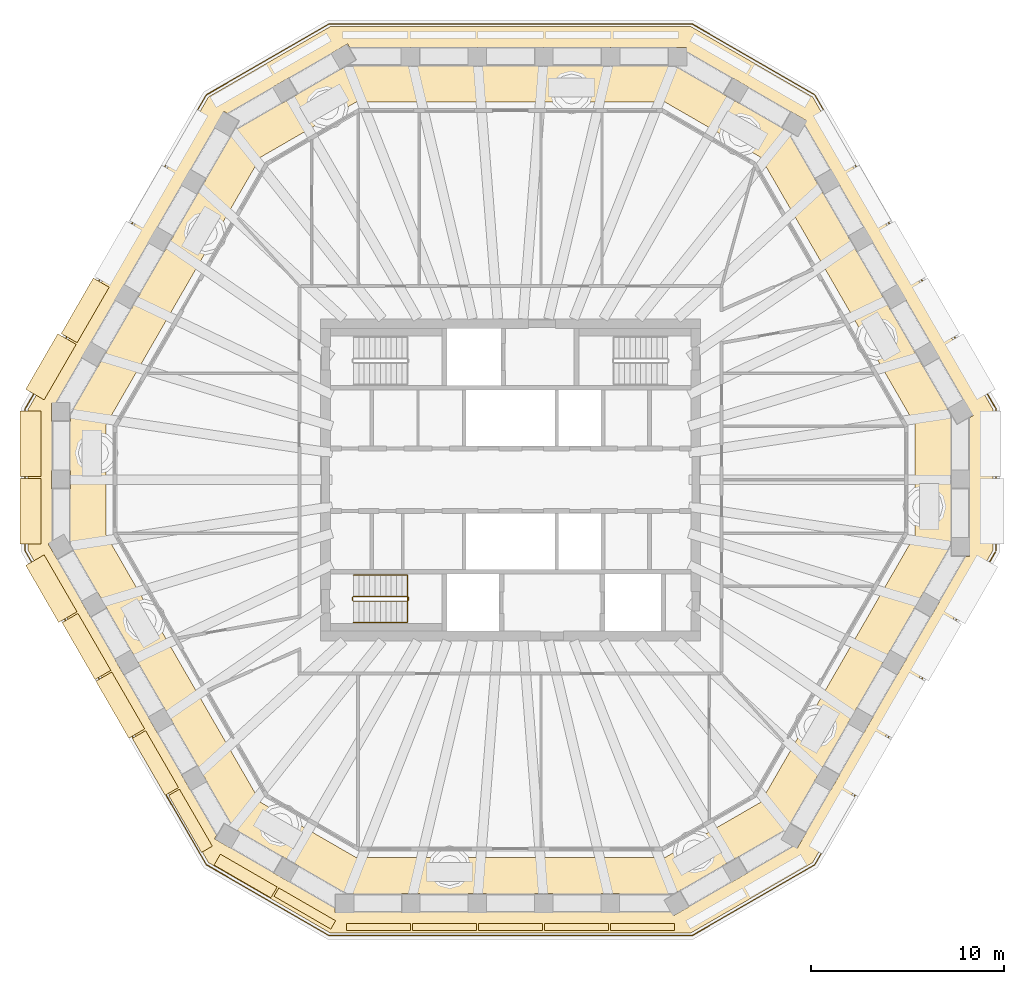
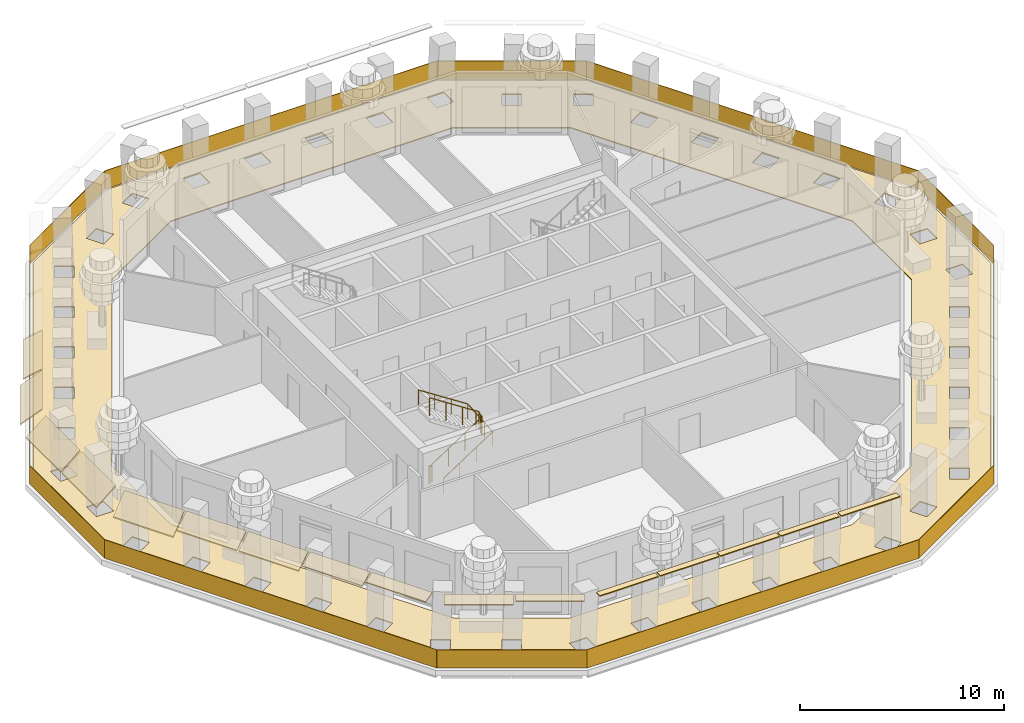
# One storey, part 9 of 13: 17 coverings, 3 railings.
"""IFC4 building model written with IfcOpenShell, lengths in metres."""

from ifc_helpers import new_model, si_unit, direction, frame, origin, origin_2d, place, context, subcontext, project, spatial, polyline, rectangle, circle, outline, extrude, material, layer, layer_set, type_object, element, save


model = new_model("IFC4")

# Units and contexts
model_context = context("Model", 3, precision=1e-05, world=origin(), true_north=direction((0.0, 1.0)))
body_context = subcontext(model_context, "Body", "Model", "MODEL_VIEW")
ifc_project = project(units=[si_unit("LENGTHUNIT", "METRE"), si_unit("AREAUNIT", "SQUARE_METRE"), si_unit("VOLUMEUNIT", "CUBIC_METRE"), si_unit("PLANEANGLEUNIT", "RADIAN"), si_unit("MASSUNIT", "GRAM", prefix="KILO")], contexts=[model_context])

# Site, building, storey
site_placement = place(None, origin())
site = spatial("IfcSite", under=ifc_project, at=site_placement, CompositionType="ELEMENT")
building_placement = place(site_placement, origin())
building = spatial("IfcBuilding", under=site, at=building_placement, Name="Frailejon Research Tower", CompositionType="ELEMENT")
storey_placement = place(building_placement, frame((0.0, 0.0, 263.0)))
storey = spatial("IfcBuildingStorey", under=building, at=storey_placement, Name="L57", CompositionType="ELEMENT", Elevation=263.0)

# Coverings
ifc_material_1 = material(Name="Precast concrete C50/60", Category="concrete")
ifc_layer_1 = layer(ifc_material_1, 0.06005859375)
ifc_layer_set_1 = layer_set([ifc_layer_1], Name="Brim blade depth 1100")
covering_type_1 = type_object("IfcCoveringType", Name="Brim blade depth 1100", PredefinedType="CLADDING", material=ifc_layer_set_1)
covering_1_placement = place(storey_placement, frame((-24.194091796875, 4.14599609375, 3.85009765625), z_axis=(0.500007407134, 0.866021127232, 0.0), x_axis=(-0.866021127232, 0.500007407134, 0.0)))
element("IfcCovering", 1, at=covering_1_placement, inside=storey, type_object=covering_type_1, Name="Brim blade L57", PredefinedType="CLADDING", context=body_context, shape_type="SweptSolid", body=[
    extrude(outline(polyline([(0.0, -0.078369140625), (1.10009765625, -1.001220703125), (1.10009765625, -0.923095703125), (0.0, 0.0), (0.0, -0.078369140625)])), origin(), (0.0, 0.0, 1.0), 3.322509765625),
])
for number, where, z_axis, x_axis, name in (
    (2, (-24.346435546875, 0.17578125, 3.85009765625), (0.0, 1.0, 0.0), (-1.0, 0.0, 0.0), "Brim blade L57"),
    (3, (-24.346435546875, -3.326416015625, 3.85009765625), (0.0, 1.0, 0.0), (-1.0, 0.0, 0.0), "Brim blade L57"),
):
    element("IfcCovering", number, at=place(storey_placement, frame(where, z_axis=z_axis, x_axis=x_axis)), inside=storey, type_object=covering_type_1, Name=name, PredefinedType="CLADDING", context=body_context, shape_type="SweptSolid", body=[
        extrude(outline(polyline([(0.0, -0.078369140625), (1.10009765625, -1.001220703125), (1.10009765625, -0.923095703125), (0.0, 0.0), (0.0, -0.078369140625)])), origin(), (0.0, 0.0, 1.0), 3.402099609375),
    ])
covering_2_placement = place(storey_placement, frame((-22.4892578125, -6.847412109375, 3.85009765625), z_axis=(-0.500009371909, 0.866019992843, 0.0), x_axis=(-0.866019992843, -0.500009371909, 0.0)))
element("IfcCovering", 4, at=covering_2_placement, inside=storey, type_object=covering_type_1, Name="Brim blade L57", PredefinedType="CLADDING", context=body_context, shape_type="SweptSolid", body=[
    extrude(outline(polyline([(0.0, -0.078369140625), (1.10009765625, -1.001220703125), (1.10009765625, -0.923095703125), (0.0, 0.0), (0.0, -0.078369140625)])), origin(), (0.0, 0.0, 1.0), 3.40966796875),
])
ifc_material_2 = material(Name="Precast concrete C50/60", Category="concrete")
ifc_layer_2 = layer(ifc_material_2, 0.06005859375)
ifc_layer_set_2 = layer_set([ifc_layer_2], Name="Brim blade depth 350")
covering_type_2 = type_object("IfcCoveringType", Name="Brim blade depth 350", PredefinedType="CLADDING", material=ifc_layer_set_2)
for number, where, z_axis, x_axis, name in (
    (5, (-5.183837890625, -23.025634765625, 3.85009765625), (-1.0, 0.0, 0.0), (0.0, -1.0, 0.0), "Brim blade L57"),
    (6, (-1.76123046875, -23.025634765625, 3.85009765625), (-1.0, 0.0, 0.0), (0.0, -1.0, 0.0), "Brim blade L57"),
    (7, (1.661376953125, -23.025634765625, 3.85009765625), (-1.0, 0.0, 0.0), (0.0, -1.0, 0.0), "Brim blade L57"),
    (8, (5.083984375, -23.025634765625, 3.85009765625), (-1.0, 0.0, 0.0), (0.0, -1.0, 0.0), "Brim blade L57"),
    (9, (8.506591796875, -23.025634765625, 3.85009765625), (-1.0, 0.0, 0.0), (0.0, -1.0, 0.0), "Brim blade L57"),
):
    element("IfcCovering", number, at=place(storey_placement, frame(where, z_axis=z_axis, x_axis=x_axis)), inside=storey, type_object=covering_type_2, Name=name, PredefinedType="CLADDING", context=body_context, shape_type="SweptSolid", body=[
        extrude(outline(polyline([(0.0, -0.06005859375), (0.35009765625, -0.06005859375), (0.35009765625, 0.0), (0.0, 0.0), (0.0, -0.06005859375)])), origin(), (0.0, 0.0, 1.0), 3.322509765625),
    ])
ifc_material_3 = material(Name="Precast concrete C50/60", Category="concrete")
ifc_layer_3 = layer(ifc_material_3, 0.06005859375)
ifc_layer_set_3 = layer_set([ifc_layer_3], Name="Brim blade depth 500")
covering_type_3 = type_object("IfcCoveringType", Name="Brim blade depth 500", PredefinedType="CLADDING", material=ifc_layer_set_3)
covering_3_placement = place(storey_placement, frame((-9.07470703125, -22.873291015625, 3.85009765625), z_axis=(-0.866023907216, 0.500002592124, 0.0), x_axis=(-0.500002592124, -0.866023907216, 0.0)))
element("IfcCovering", 10, at=covering_3_placement, inside=storey, type_object=covering_type_3, Name="Brim blade L57", PredefinedType="CLADDING", context=body_context, shape_type="SweptSolid", body=[
    extrude(outline(polyline([(0.0, -0.060546875), (0.5, -0.130859375), (0.5, -0.0703125), (0.0, 0.0), (0.0, -0.060546875)])), origin(), (0.0, 0.0, 1.0), 3.402099609375),
])
ifc_material_4 = material(Name="Precast concrete C50/60", Category="concrete")
ifc_layer_4 = layer(ifc_material_4, 0.06005859375)
ifc_layer_set_4 = layer_set([ifc_layer_4], Name="Brim blade depth 650")
covering_type_4 = type_object("IfcCoveringType", Name="Brim blade depth 650", PredefinedType="CLADDING", material=ifc_layer_set_4)
covering_4_placement = place(storey_placement, frame((-15.4697265625, -19.00537109375, 3.85009765625), z_axis=(-0.500009371909, 0.866019992843, 0.0), x_axis=(-0.866019992843, -0.500009371909, 0.0)))
element("IfcCovering", 11, at=covering_4_placement, inside=storey, type_object=covering_type_4, Name="Brim blade L57", PredefinedType="CLADDING", context=body_context, shape_type="SweptSolid", body=[
    extrude(outline(polyline([(0.0, -0.0625), (0.64990234375, -0.248779296875), (0.64990234375, -0.186279296875), (0.0, 0.0), (0.0, -0.0625)])), origin(), (0.0, 0.0, 1.0), 3.40966796875),
])
covering_5_placement = place(storey_placement, frame((-12.107666015625, -21.122314453125, 3.85009765625), z_axis=(-0.866023907216, 0.500002592124, 0.0), x_axis=(-0.500002592124, -0.866023907216, 0.0)))
element("IfcCovering", 12, at=covering_5_placement, inside=storey, type_object=covering_type_4, Name="Brim blade L57", PredefinedType="CLADDING", context=body_context, shape_type="SweptSolid", body=[
    extrude(outline(polyline([(0.0, -0.0625), (0.64990234375, -0.248779296875), (0.64990234375, -0.186279296875), (0.0, 0.0), (0.0, -0.0625)])), origin(), (0.0, 0.0, 1.0), 3.402099609375),
])
ifc_material_5 = material(Name="Precast concrete C50/60", Category="concrete")
ifc_layer_5 = layer(ifc_material_5, 0.06005859375)
ifc_layer_set_5 = layer_set([ifc_layer_5], Name="Brim blade depth 800")
covering_type_5 = type_object("IfcCoveringType", Name="Brim blade depth 800", PredefinedType="CLADDING", material=ifc_layer_set_5)
covering_6_placement = place(storey_placement, frame((-17.224609375, -15.9658203125, 3.85009765625), z_axis=(-0.499988002313, 0.866032330542, 0.0), x_axis=(-0.866032330542, -0.499988002313, 0.0)))
element("IfcCovering", 13, at=covering_6_placement, inside=storey, type_object=covering_type_5, Name="Brim blade L57", PredefinedType="CLADDING", context=body_context, shape_type="SweptSolid", body=[
    extrude(outline(polyline([(0.0, -0.065673828125), (0.800048828125, -0.421875), (0.800048828125, -0.356201171875), (0.0, 0.0), (0.0, -0.065673828125)])), origin(), (0.0, 0.0, 1.0), 3.40966796875),
])
ifc_material_6 = material(Name="Precast concrete C50/60", Category="concrete")
ifc_layer_6 = layer(ifc_material_6, 0.06005859375)
ifc_layer_set_6 = layer_set([ifc_layer_6], Name="Brim blade depth 950")
covering_type_6 = type_object("IfcCoveringType", Name="Brim blade depth 950", PredefinedType="CLADDING", material=ifc_layer_set_6)
covering_7_placement = place(storey_placement, frame((-22.48291015625, 7.110107421875, 3.85009765625), z_axis=(0.499994755735, 0.866028431541, 0.0), x_axis=(-0.866028431541, 0.499994755735, 0.0)))
element("IfcCovering", 14, at=covering_7_placement, inside=storey, type_object=covering_type_6, Name="Brim blade L57", PredefinedType="CLADDING", context=body_context, shape_type="SweptSolid", body=[
    extrude(outline(polyline([(0.0, -0.07080078125), (0.949951171875, -0.664306640625), (0.949951171875, -0.593505859375), (0.0, 0.0), (0.0, -0.07080078125)])), origin(), (0.0, 0.0, 1.0), 3.322509765625),
])
for number, where, z_axis, x_axis, name in (
    (15, (-20.734375, -9.886962890625, 3.85009765625), (-0.499988002313, 0.866032330542, 0.0), (-0.866032330542, -0.499988002313, 0.0), "Brim blade L57"),
    (16, (-18.9794921875, -12.926513671875, 3.85009765625), (-0.500021710064, 0.86601286911, 0.0), (-0.86601286911, -0.500021710064, 0.0), "Brim blade L57"),
):
    element("IfcCovering", number, at=place(storey_placement, frame(where, z_axis=z_axis, x_axis=x_axis)), inside=storey, type_object=covering_type_6, Name=name, PredefinedType="CLADDING", context=body_context, shape_type="SweptSolid", body=[
        extrude(outline(polyline([(0.0, -0.07080078125), (0.949951171875, -0.664306640625), (0.949951171875, -0.593505859375), (0.0, 0.0), (0.0, -0.07080078125)])), origin(), (0.0, 0.0, 1.0), 3.40966796875),
    ])

# Railing
ifc_material_7 = material(Name="Laminated glass balustrade", Category="glass")
railing_type_1 = type_object("IfcRailingType", Name="Glass guard 1100", PredefinedType="GUARDRAIL", material=ifc_material_7)
railing_1_placement = place(storey_placement, frame((25.184326171875, -3.67919921875, 0.0)))
element("IfcRailing", 17, at=railing_1_placement, inside=storey, type_object=railing_type_1, Name="Setback terrace guard L57", PredefinedType="GUARDRAIL", context=body_context, shape_type="SweptSolid", body=[
    extrude(rectangle(XDim=7.3583984375, YDim=0.030029296875, at=origin_2d()), frame((0.0, 3.67919921875, 0.0), z_axis=(0.0, 0.0, 1.0), x_axis=(0.0, 1.0, 0.0)), (0.0, 0.0, 1.0), 1.10009765625),
    extrude(rectangle(XDim=18.811767578125, YDim=0.030029296875, at=origin_2d()), frame((-4.702880859375, 15.504150390625, 0.0), z_axis=(0.0, 0.0, 1.0), x_axis=(-0.499994320808, 0.866028682643, 0.0)), (0.0, 0.0, 1.0), 1.10009765625),
    extrude(rectangle(XDim=7.358642578125, YDim=0.030029296875, at=origin_2d()), frame((-12.59228515625, 25.489501953125, 0.0), z_axis=(0.0, 0.0, 1.0), x_axis=(-0.866033651025, 0.499985715088, 0.0)), (0.0, 0.0, 1.0), 1.10009765625),
    extrude(rectangle(XDim=18.8115234375, YDim=0.030029296875, at=origin_2d()), frame((-25.184326171875, 27.3291015625, 0.0), z_axis=(0.0, 0.0, 1.0), x_axis=(-1.0, 0.0, 0.0)), (0.0, 0.0, 1.0), 1.10009765625),
    extrude(rectangle(XDim=7.358642578125, YDim=0.030029296875, at=origin_2d()), frame((-37.7763671875, 25.489501953125, 0.0), z_axis=(0.0, 0.0, 1.0), x_axis=(-0.866033651025, -0.499985715088, 0.0)), (0.0, 0.0, 1.0), 1.10009765625),
    extrude(rectangle(XDim=18.811767578125, YDim=0.030029296875, at=origin_2d()), frame((-45.665771484375, 15.504150390625, 0.0), z_axis=(0.0, 0.0, 1.0), x_axis=(-0.499994320808, -0.866028682643, 0.0)), (0.0, 0.0, 1.0), 1.10009765625),
    extrude(rectangle(XDim=7.3583984375, YDim=0.030029296875, at=origin_2d()), frame((-50.36865234375, 3.67919921875, 0.0), z_axis=(0.0, 0.0, 1.0), x_axis=(0.0, -1.0, 0.0)), (0.0, 0.0, 1.0), 1.10009765625),
    extrude(rectangle(XDim=18.811767578125, YDim=0.030029296875, at=origin_2d()), frame((-45.665771484375, -8.145751953125, 0.0), z_axis=(0.0, 0.0, 1.0), x_axis=(0.499994320808, -0.866028682643, 0.0)), (0.0, 0.0, 1.0), 1.10009765625),
    extrude(rectangle(XDim=7.358642578125, YDim=0.030029296875, at=origin_2d()), frame((-37.7763671875, -18.131103515625, 0.0), z_axis=(0.0, 0.0, 1.0), x_axis=(0.866033651025, -0.499985715088, 0.0)), (0.0, 0.0, 1.0), 1.10009765625),
    extrude(rectangle(XDim=18.8115234375, YDim=0.030029296875, at=origin_2d()), frame((-25.184326171875, -19.970703125, 0.0), z_axis=(0.0, 0.0, 1.0), x_axis=(1.0, 0.0, 0.0)), (0.0, 0.0, 1.0), 1.10009765625),
    extrude(rectangle(XDim=7.358642578125, YDim=0.030029296875, at=origin_2d()), frame((-12.59228515625, -18.131103515625, 0.0), z_axis=(0.0, 0.0, 1.0), x_axis=(0.866033651025, 0.499985715088, 0.0)), (0.0, 0.0, 1.0), 1.10009765625),
    extrude(rectangle(XDim=18.74169921875, YDim=0.030029296875, at=origin_2d()), frame((-4.72021484375, -8.17626953125, 0.0), z_axis=(0.0, 0.0, 1.0), x_axis=(0.500001726883, 0.866024406766, 0.0)), (0.0, 0.0, 1.0), 1.10009765625),
])

# Covering
ifc_material_8 = material(Name="Bituminous roofing membrane with gravel ballast")
ifc_layer_7 = layer(ifc_material_8, 0.06005859375)
ifc_layer_set_7 = layer_set([ifc_layer_7], Name="Roofing membrane and ballast 60")
covering_type_7 = type_object("IfcCoveringType", Name="Roofing membrane and ballast 60", PredefinedType="ROOFING", material=ifc_layer_set_7)
covering_8_placement = place(storey_placement, origin())
element("IfcCovering", 18, at=covering_8_placement, inside=storey, type_object=covering_type_7, Name="Roofing Setback terrace slab L57", PredefinedType="ROOFING", context=body_context, shape_type="SweptSolid", body=[
    extrude(outline(polyline([(15.668701171875, -19.86083984375), (25.034423828125, -3.63916015625), (25.034423828125, 3.63916015625), (15.668701171875, 19.86083984375), (9.365478515625, 23.5), (-9.365478515625, 23.5), (-15.668701171875, 19.86083984375), (-25.034423828125, 3.63916015625), (-25.034423828125, -3.63916015625), (-15.668701171875, -19.86083984375), (-9.365478515625, -23.5), (9.365478515625, -23.5), (15.668701171875, -19.86083984375)]), holes=[polyline([(20.973876953125, 2.872314453125), (20.973876953125, -2.872314453125), (12.974365234375, -16.727783203125), (7.99951171875, -19.60009765625), (-7.99951171875, -19.60009765625), (-12.974365234375, -16.727783203125), (-20.973876953125, -2.872314453125), (-20.973876953125, 2.872314453125), (-12.974365234375, 16.727783203125), (-7.99951171875, 19.60009765625), (7.99951171875, 19.60009765625), (12.974365234375, 16.727783203125), (20.973876953125, 2.872314453125)]), polyline([(23.14697265625, 2.839599609375), (22.663330078125, 3.675537109375), (22.668701171875, 3.684814453125), (23.501708984375, 4.166015625), (23.9853515625, 3.330322265625), (23.97998046875, 3.321044921875), (23.14697265625, 2.839599609375)]), polyline([(22.83935546875, -0.48486328125), (22.83837890625, 0.477294921875), (22.84375, 0.486572265625), (23.809326171875, 0.48681640625), (23.810302734375, -0.475341796875), (23.804931640625, -0.484619140625), (22.83935546875, -0.48486328125)]), polyline([(23.804931640625, -3.986572265625), (22.83935546875, -3.98681640625), (22.83837890625, -3.024658203125), (22.84375, -3.015380859375), (23.809326171875, -3.01513671875), (23.810302734375, -3.977294921875), (23.804931640625, -3.986572265625)]), polyline([(22.255615234375, -6.322509765625), (21.775390625, -7.153564453125), (20.935546875, -6.668701171875), (20.941162109375, -6.65869140625), (21.421142578125, -5.82763671875), (22.260986328125, -6.312744140625), (22.255615234375, -6.322509765625)]), polyline([(22.253173828125, 6.309326171875), (21.420654296875, 5.828857421875), (20.93701171875, 6.666259765625), (20.944091796875, 6.674560546875), (21.776611328125, 7.155029296875), (22.26025390625, 6.317626953125), (22.253173828125, 6.309326171875)]), polyline([(19.69482421875, 8.818115234375), (19.21044921875, 9.656982421875), (19.219482421875, 9.663818359375), (20.051025390625, 10.143798828125), (20.53564453125, 9.304931640625), (20.5263671875, 9.298095703125), (19.69482421875, 8.818115234375)]), polyline([(20.0556640625, -10.1337890625), (20.05029296875, -10.142578125), (19.2099609375, -9.658447265625), (19.68896484375, -8.82666015625), (19.6943359375, -8.817626953125), (20.534912109375, -9.302001953125), (20.0556640625, -10.1337890625)]), polyline([(17.968505859375, 11.80810546875), (17.48388671875, 12.647216796875), (18.3154296875, 13.127197265625), (18.325927734375, 13.1318359375), (18.810302734375, 12.292724609375), (17.97900390625, 11.8125), (17.968505859375, 11.80810546875)]), polyline([(18.32421875, -13.13232421875), (17.483642578125, -12.648193359375), (17.962890625, -11.81640625), (17.968017578125, -11.807373046875), (18.80859375, -12.29150390625), (18.32958984375, -13.123291015625), (18.32421875, -13.13232421875)]), polyline([(16.252197265625, 14.80078125), (16.24169921875, 14.798828125), (15.75830078125, 15.636474609375), (16.5908203125, 16.1171875), (16.601318359375, 16.119140625), (17.084716796875, 15.281494140625), (16.252197265625, 14.80078125)]), polyline([(16.597412109375, -16.122314453125), (15.75732421875, -15.63720703125), (15.762939453125, -15.62744140625), (16.242919921875, -14.79638671875), (17.0830078125, -15.281494140625), (17.077392578125, -15.291259765625), (16.597412109375, -16.122314453125)]), polyline([(14.865478515625, 17.7890625), (14.03271484375, 18.270751953125), (14.515380859375, 19.10693359375), (14.52587890625, 19.10693359375), (15.35888671875, 18.625244140625), (14.876220703125, 17.7890625), (14.865478515625, 17.7890625)]), polyline([(14.877685546875, -19.1015625), (14.87158203125, -19.112060546875), (14.03125, -18.627197265625), (14.5107421875, -17.79638671875), (14.516845703125, -17.785888671875), (15.35693359375, -18.2705078125), (14.877685546875, -19.1015625)]), polyline([(11.832763671875, 19.5400390625), (10.999755859375, 20.021728515625), (11.482666015625, 20.85791015625), (11.4931640625, 20.85791015625), (12.326171875, 20.376220703125), (11.843505859375, 19.5400390625), (11.832763671875, 19.5400390625)]), polyline([(12.31689453125, -20.382080078125), (11.4833984375, -20.863037109375), (11.00048828125, -20.02685546875), (11.005859375, -20.017578125), (11.839111328125, -19.536865234375), (12.322265625, -20.372802734375), (12.31689453125, -20.382080078125)]), polyline([(8.45068359375, -22.614013671875), (7.9677734375, -21.77783203125), (7.972900390625, -21.768798828125), (8.806396484375, -21.287841796875), (9.28955078125, -22.123779296875), (9.2841796875, -22.13330078125), (8.45068359375, -22.614013671875)]), polyline([(8.144287109375, 22.43505859375), (9.115966796875, 22.43505859375), (9.115966796875, 21.465087890625), (8.144287109375, 21.465087890625), (8.144287109375, 22.43505859375)]), polyline([(4.692626953125, 22.43505859375), (5.663818359375, 22.43505859375), (5.663818359375, 21.465087890625), (4.692626953125, 21.465087890625), (4.692626953125, 22.43505859375)]), polyline([(5.662353515625, -22.4267578125), (5.658935546875, -22.43701171875), (4.69189453125, -22.436279296875), (4.69189453125, -21.47509765625), (4.695556640625, -21.465087890625), (5.66259765625, -21.465576171875), (5.662353515625, -22.4267578125)]), polyline([(2.211181640625, 22.43505859375), (2.211181640625, 21.465087890625), (1.24072265625, 21.465087890625), (1.24072265625, 22.43505859375), (2.211181640625, 22.43505859375)]), polyline([(1.24072265625, -22.436767578125), (1.240478515625, -21.4765625), (1.24169921875, -21.46533203125), (2.210693359375, -21.465087890625), (2.2109375, -22.42529296875), (2.209716796875, -22.4365234375), (1.24072265625, -22.436767578125)]), polyline([(-1.24072265625, -22.436767578125), (-2.209716796875, -22.4365234375), (-2.2109375, -22.42529296875), (-2.210693359375, -21.465087890625), (-1.24169921875, -21.46533203125), (-1.240478515625, -21.4765625), (-1.24072265625, -22.436767578125)]), polyline([(-1.24072265625, 22.43505859375), (-1.24072265625, 21.465087890625), (-2.211181640625, 21.465087890625), (-2.211181640625, 22.43505859375), (-1.24072265625, 22.43505859375)]), polyline([(-4.69189453125, -22.436279296875), (-5.658935546875, -22.43701171875), (-5.662353515625, -22.4267578125), (-5.66259765625, -21.465576171875), (-4.695556640625, -21.465087890625), (-4.69189453125, -21.47509765625), (-4.69189453125, -22.436279296875)]), polyline([(-5.663818359375, 22.43505859375), (-4.692626953125, 22.43505859375), (-4.692626953125, 21.465087890625), (-5.663818359375, 21.465087890625), (-5.663818359375, 22.43505859375)]), polyline([(-8.800048828125, 21.291015625), (-8.810546875, 21.291015625), (-9.29345703125, 22.127197265625), (-8.46044921875, 22.60888671875), (-8.44970703125, 22.60888671875), (-7.967041015625, 21.772705078125), (-8.800048828125, 21.291015625)]), polyline([(-9.10888671875, -22.436767578125), (-9.1142578125, -22.427490234375), (-9.114013671875, -21.46533203125), (-8.148193359375, -21.465087890625), (-8.142822265625, -21.474365234375), (-8.143310546875, -22.4365234375), (-9.10888671875, -22.436767578125)]), polyline([(-11.843505859375, 19.5400390625), (-12.326171875, 20.376220703125), (-11.4931640625, 20.85791015625), (-11.482666015625, 20.85791015625), (-10.999755859375, 20.021728515625), (-11.832763671875, 19.5400390625), (-11.843505859375, 19.5400390625)]), polyline([(-11.4833984375, -20.863037109375), (-12.31689453125, -20.382080078125), (-12.322265625, -20.372802734375), (-11.839111328125, -19.536865234375), (-11.005859375, -20.017578125), (-11.00048828125, -20.02685546875), (-11.4833984375, -20.863037109375)]), polyline([(-14.514892578125, 17.789306640625), (-14.525634765625, 17.789306640625), (-15.35888671875, 18.270263671875), (-14.876708984375, 19.106689453125), (-14.865966796875, 19.106689453125), (-14.03271484375, 18.625732421875), (-14.514892578125, 17.789306640625)]), polyline([(-14.033203125, -18.27587890625), (-14.516357421875, -19.112060546875), (-15.349609375, -18.631103515625), (-15.35498046875, -18.621826171875), (-14.8720703125, -17.785888671875), (-14.03857421875, -18.2666015625), (-14.033203125, -18.27587890625)]), polyline([(-15.75732421875, -15.63720703125), (-16.597412109375, -16.122314453125), (-17.077392578125, -15.291259765625), (-17.0830078125, -15.281494140625), (-16.242919921875, -14.79638671875), (-15.762939453125, -15.62744140625), (-15.75732421875, -15.63720703125)]), polyline([(-15.75830078125, 15.636474609375), (-16.24169921875, 14.798828125), (-16.252197265625, 14.80078125), (-17.084716796875, 15.281494140625), (-16.601318359375, 16.119140625), (-16.5908203125, 16.1171875), (-15.75830078125, 15.636474609375)]), polyline([(-17.483642578125, -12.648193359375), (-18.32421875, -13.13232421875), (-18.32958984375, -13.123291015625), (-18.80859375, -12.29150390625), (-17.968017578125, -11.807373046875), (-17.962890625, -11.81640625), (-17.483642578125, -12.648193359375)]), polyline([(-17.48388671875, 12.647216796875), (-17.968505859375, 11.80810546875), (-17.97900390625, 11.8125), (-18.810302734375, 12.292724609375), (-18.325927734375, 13.1318359375), (-18.3154296875, 13.127197265625), (-17.48388671875, 12.647216796875)]), polyline([(-20.05029296875, -10.142578125), (-20.0556640625, -10.1337890625), (-20.534912109375, -9.302001953125), (-19.6943359375, -8.817626953125), (-19.68896484375, -8.82666015625), (-19.2099609375, -9.658447265625), (-20.05029296875, -10.142578125)]), polyline([(-19.69482421875, 8.818115234375), (-20.5263671875, 9.298095703125), (-20.53564453125, 9.304931640625), (-20.051025390625, 10.143798828125), (-19.219482421875, 9.663818359375), (-19.21044921875, 9.656982421875), (-19.69482421875, 8.818115234375)]), polyline([(-21.775390625, -7.153564453125), (-22.255615234375, -6.322509765625), (-22.260986328125, -6.312744140625), (-21.421142578125, -5.82763671875), (-20.941162109375, -6.65869140625), (-20.935546875, -6.668701171875), (-21.775390625, -7.153564453125)]), polyline([(-21.420654296875, 5.828857421875), (-22.253173828125, 6.309326171875), (-22.26025390625, 6.317626953125), (-21.776611328125, 7.155029296875), (-20.944091796875, 6.674560546875), (-20.93701171875, 6.666259765625), (-21.420654296875, 5.828857421875)]), polyline([(-22.66162109375, -3.679443359375), (-23.501708984375, -4.164306640625), (-23.5078125, -4.15380859375), (-23.9873046875, -3.32275390625), (-23.14697265625, -2.837890625), (-23.140869140625, -2.848388671875), (-22.66162109375, -3.679443359375)]), polyline([(-22.83837890625, 0.477294921875), (-22.83935546875, -0.48486328125), (-23.804931640625, -0.484619140625), (-23.810302734375, -0.475341796875), (-23.809326171875, 0.48681640625), (-22.84375, 0.486572265625), (-22.83837890625, 0.477294921875)]), polyline([(-22.83837890625, 3.979248046875), (-22.83935546875, 3.01708984375), (-23.804931640625, 3.017333984375), (-23.810302734375, 3.026611328125), (-23.809326171875, 3.98876953125), (-22.84375, 3.988525390625), (-22.83837890625, 3.979248046875)])]), origin(), (0.0, 0.0, 1.0), 0.06005859375),
])

# Railings
ifc_material_9 = material(Name="Stainless steel", Category="steel")
railing_type_2 = type_object("IfcRailingType", Name="Stair guard 1100", PredefinedType="GUARDRAIL", material=ifc_material_9)
railing_2_placement = place(storey_placement, frame((-8.199951171875, -6.10009765625, 0.0)))
element("IfcRailing", 19, at=railing_2_placement, inside=storey, type_object=railing_type_2, Name="L57 ST2 stair guard 1", PredefinedType="GUARDRAIL", context=body_context, shape_type="SweptSolid", body=[
    extrude(circle(Radius=0.02392578125, at=origin_2d()), frame((0.0, 0.0, 1.076171875), z_axis=(0.0, -1.0, 0.0), x_axis=(1.0, 0.0, 0.0)), (0.0, 0.0, 1.0), 0.14990234375),
    extrude(circle(Radius=0.02392578125, at=origin_2d()), frame((0.0, -0.14990234375, 1.076171875), z_axis=(0.256435381639, -0.256435381639, 0.931923704005), x_axis=(0.707106781187, 0.707106781187, 0.0)), (0.0, 0.0, 1.0), 0.195068359375),
    extrude(circle(Radius=0.02392578125, at=origin_2d()), frame((0.050048828125, -0.199951171875, 1.2578125), z_axis=(0.83868413941, 0.0, 0.544618136222), x_axis=(0.0, 1.0, 0.0)), (0.0, 0.0, 1.0), 3.33837890625),
    extrude(circle(Radius=0.02392578125, at=origin_2d()), frame((2.849853515625, -0.199951171875, 3.076171875), z_axis=(0.707106781187, 0.707106781187, 0.0), x_axis=(-0.707106781187, 0.707106781187, 0.0)), (0.0, 0.0, 1.0), 0.07080078125),
    extrude(circle(Radius=0.02392578125, at=origin_2d()), frame((2.89990234375, -0.14990234375, 3.076171875), z_axis=(0.0, 1.0, 0.0), x_axis=(-1.0, 0.0, 0.0)), (0.0, 0.0, 1.0), 0.14990234375),
    extrude(circle(Radius=0.02392578125, at=origin_2d()), frame((2.89990234375, 0.0, 3.076171875), z_axis=(-0.256435381639, 0.256435381639, 0.931923704005), x_axis=(-0.707106781187, -0.707106781187, 0.0)), (0.0, 0.0, 1.0), 0.195068359375),
    extrude(circle(Radius=0.02392578125, at=origin_2d()), frame((2.849853515625, 0.050048828125, 3.2578125), z_axis=(-0.83868413941, 0.0, 0.544618136222), x_axis=(0.0, -1.0, 0.0)), (0.0, 0.0, 1.0), 3.33837890625),
    extrude(circle(Radius=0.02099609375, at=origin_2d()), origin(), (0.0, 0.0, 1.0), 1.052001953125),
    extrude(circle(Radius=0.02099609375, at=origin_2d()), frame((0.0, -0.14990234375, 0.0)), (0.0, 0.0, 1.0), 1.052001953125),
    extrude(circle(Radius=0.02099609375, at=origin_2d()), frame((0.050048828125, -0.199951171875, 0.181884765625)), (0.0, 0.0, 1.0), 1.052001953125),
    extrude(circle(Radius=0.02099609375, at=origin_2d()), frame((0.9833984375, -0.199951171875, 0.787841796875)), (0.0, 0.0, 1.0), 1.052001953125),
    extrude(circle(Radius=0.02099609375, at=origin_2d()), frame((1.91650390625, -0.199951171875, 1.39404296875)), (0.0, 0.0, 1.0), 1.052001953125),
    extrude(circle(Radius=0.02099609375, at=origin_2d()), frame((2.849853515625, -0.199951171875, 2.0)), (0.0, 0.0, 1.0), 1.052001953125),
    extrude(circle(Radius=0.02099609375, at=origin_2d()), frame((2.89990234375, -0.14990234375, 2.0)), (0.0, 0.0, 1.0), 1.052001953125),
    extrude(circle(Radius=0.02099609375, at=origin_2d()), frame((2.89990234375, 0.0, 2.0)), (0.0, 0.0, 1.0), 1.052001953125),
    extrude(circle(Radius=0.02099609375, at=origin_2d()), frame((2.849853515625, 0.050048828125, 2.181884765625)), (0.0, 0.0, 1.0), 1.052001953125),
    extrude(circle(Radius=0.02099609375, at=origin_2d()), frame((1.91650390625, 0.050048828125, 2.787841796875)), (0.0, 0.0, 1.0), 1.052001953125),
    extrude(circle(Radius=0.02099609375, at=origin_2d()), frame((0.9833984375, 0.050048828125, 3.39404296875)), (0.0, 0.0, 1.0), 1.052001953125),
    extrude(circle(Radius=0.02099609375, at=origin_2d()), frame((0.050048828125, 0.050048828125, 4.0)), (0.0, 0.0, 1.0), 1.052001953125),
])
ifc_material_10 = material(Name="Stainless steel", Category="steel")
railing_type_3 = type_object("IfcRailingType", Name="Stair handrail 900", PredefinedType="HANDRAIL", material=ifc_material_10)
railing_3_placement = place(storey_placement, frame((-8.14990234375, -7.39990234375, 0.181884765625)))
element("IfcRailing", 20, at=railing_3_placement, inside=storey, type_object=railing_type_3, Name="L57 ST2 stair handrail 1", PredefinedType="HANDRAIL", context=body_context, shape_type="SweptSolid", body=[
    extrude(circle(Radius=0.02392578125, at=origin_2d()), frame((0.0, 0.0, 0.8759765625), z_axis=(0.83868413941, 0.0, 0.544618136222), x_axis=(0.0, 1.0, 0.0)), (0.0, 0.0, 1.0), 3.33837890625),
    extrude(circle(Radius=0.02392578125, at=origin_2d()), frame((2.7998046875, 0.0, 2.69384765625), z_axis=(0.0, 0.997255538948, 0.074036410216), x_axis=(-1.0, 0.0, 0.0)), (0.0, 0.0, 1.0), 2.456787109375),
    extrude(circle(Radius=0.02392578125, at=origin_2d()), frame((2.7998046875, 2.449951171875, 2.8759765625), z_axis=(-0.83868413941, 0.0, 0.544618136222), x_axis=(0.0, -1.0, 0.0)), (0.0, 0.0, 1.0), 3.33837890625),
    extrude(circle(Radius=0.02099609375, at=origin_2d()), origin(), (0.0, 0.0, 1.0), 0.851806640625),
    extrude(circle(Radius=0.02099609375, at=origin_2d()), frame((0.933349609375, 0.0, 0.60595703125)), (0.0, 0.0, 1.0), 0.851806640625),
    extrude(circle(Radius=0.02099609375, at=origin_2d()), frame((1.866455078125, 0.0, 1.212158203125)), (0.0, 0.0, 1.0), 0.851806640625),
    extrude(circle(Radius=0.02099609375, at=origin_2d()), frame((2.7998046875, 0.0, 1.818115234375)), (0.0, 0.0, 1.0), 0.851806640625),
    extrude(circle(Radius=0.02099609375, at=origin_2d()), frame((2.7998046875, 0.816650390625, 1.878662109375)), (0.0, 0.0, 1.0), 0.851806640625),
    extrude(circle(Radius=0.02099609375, at=origin_2d()), frame((2.7998046875, 1.63330078125, 1.939453125)), (0.0, 0.0, 1.0), 0.851806640625),
    extrude(circle(Radius=0.02099609375, at=origin_2d()), frame((2.7998046875, 2.449951171875, 2.0)), (0.0, 0.0, 1.0), 0.851806640625),
    extrude(circle(Radius=0.02099609375, at=origin_2d()), frame((1.866455078125, 2.449951171875, 2.60595703125)), (0.0, 0.0, 1.0), 0.851806640625),
    extrude(circle(Radius=0.02099609375, at=origin_2d()), frame((0.933349609375, 2.449951171875, 3.212158203125)), (0.0, 0.0, 1.0), 0.851806640625),
    extrude(circle(Radius=0.02099609375, at=origin_2d()), frame((0.0, 2.449951171875, 3.818115234375)), (0.0, 0.0, 1.0), 0.851806640625),
])

save(model, "model.ifc")
